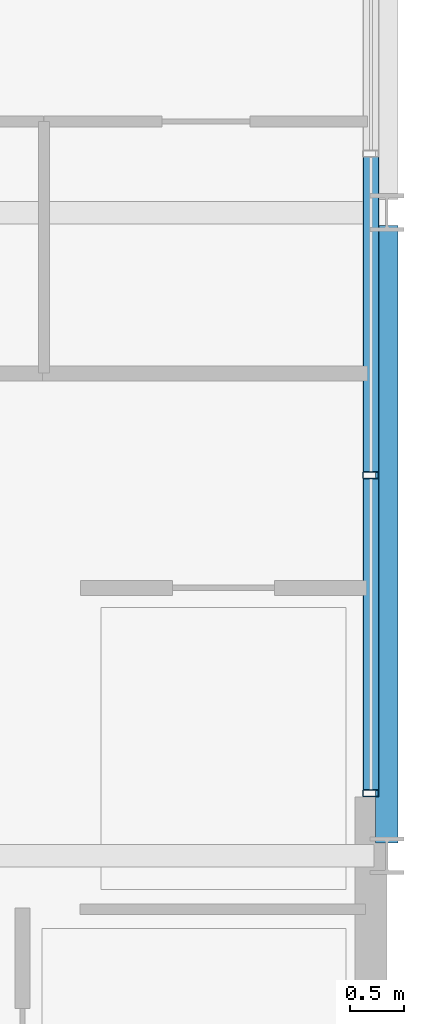
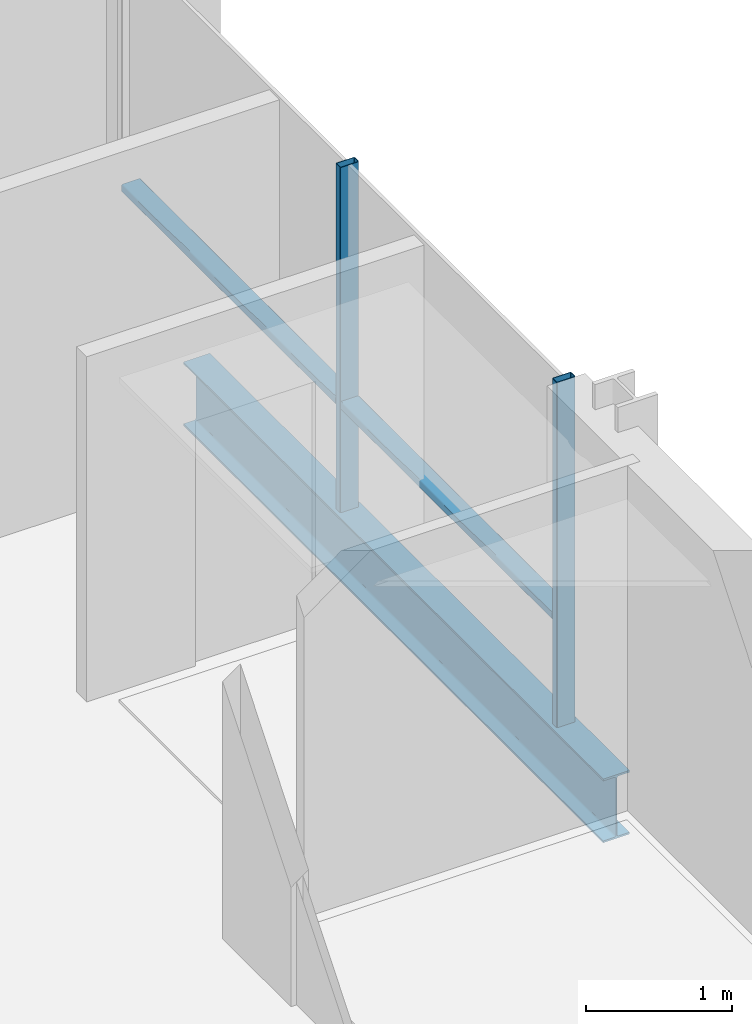
# One storey, part 5 of 17: 4 members, 1 beam, 1 element without a shape of its own.
"""IFC4 building model written with IfcOpenShell, lengths in metres."""

from ifc_helpers import new_model, si_unit, direction, frame, origin, origin_2d, place, context, subcontext, project, spatial, hollow_rectangle, i_section, extrude, material, layer, layer_set, material_profile, profile_set, type_object, element, aggregate, save


model = new_model("IFC4")

# Units and contexts
model_context = context("Model", 3, precision=1e-05, world=origin(), true_north=direction((0.0, 1.0)))
body_context = subcontext(model_context, "Body", "Model", "MODEL_VIEW")
ifc_project = project(units=[si_unit("LENGTHUNIT", "METRE"), si_unit("AREAUNIT", "SQUARE_METRE"), si_unit("VOLUMEUNIT", "CUBIC_METRE"), si_unit("PLANEANGLEUNIT", "RADIAN"), si_unit("MASSUNIT", "GRAM", prefix="KILO")], contexts=[model_context])

# Site, building, storey
site_placement = place(None, origin())
site = spatial("IfcSite", under=ifc_project, at=site_placement, CompositionType="ELEMENT")
building_placement = place(site_placement, origin())
building = spatial("IfcBuilding", under=site, at=building_placement, Name="Brevholm Reach", CompositionType="ELEMENT")
storey_placement = place(building_placement, frame((0.0, 0.0, 221.10009765625)))
storey = spatial("IfcBuildingStorey", under=building, at=storey_placement, Name="L67", CompositionType="ELEMENT", Elevation=221.10009765625)

# Beam
ifc_material_1 = material(Name="Structural Steel S355J2", Category="steel")
ifc_material_profile_1 = material_profile(ifc_material_1, i_section(OverallWidth=0.209228515625, OverallDepth=0.533203125, WebThickness=0.010009765625, FlangeThickness=0.015625, FilletRadius=0.0126953125, at=origin_2d()), Name="UKB 533x210x92")
ifc_profile_set_1 = profile_set([ifc_material_profile_1], Name="Structural Steel S355J2")
beam_type = type_object("IfcBeamType", Name="BM-SP533", PredefinedType="SPANDREL", material=ifc_profile_set_1)
beam_placement = place(storey_placement, frame((60.0, 10.1201171875, -0.4765625), z_axis=(0.0, 1.0, 0.0), x_axis=(-1.0, 0.0, 0.0)))
element("IfcBeam", 1, at=beam_placement, inside=storey, type_object=beam_type, Name="L67 SP-02 Framing Beam", PredefinedType="SPANDREL", context=body_context, shape_type="SweptSolid", body=[
    extrude(i_section(OverallWidth=0.209228515625, OverallDepth=0.533203125, WebThickness=0.010009765625, FlangeThickness=0.015625, FilletRadius=0.0126953125, at=origin_2d()), origin(), (0.0, 0.0, 1.0), 5.759765625),
])

# Curtain wall, members
ifc_material_2 = material(Name="Dark Anodised Aluminium 6063-T6 and Solar-Control Glass", Category="aluminium")
ifc_layer = layer(ifc_material_2, 0.14990234375)
ifc_layer_set = layer_set([ifc_layer], Name="Dark Anodised Aluminium 6063-T6 and Solar-Control Glass")
curtain_wall_type = type_object("IfcCurtainWallType", Name="CW-01", PredefinedType="NOTDEFINED", material=ifc_layer_set)
curtain_wall_placement = place(storey_placement, origin())
curtain_wall = element("IfcCurtainWall", 2, at=curtain_wall_placement, inside=storey, type_object=curtain_wall_type, Name="L67 Curtain Wall CW-01", PredefinedType="NOTDEFINED")
ifc_material_3 = material(Name="Dark Anodised Aluminium 6063-T6", Category="aluminium")
ifc_material_profile_2 = material_profile(ifc_material_3, hollow_rectangle(XDim=0.06494140625, YDim=0.14990234375, WallThickness=0.0048828125, InnerFilletRadius=0.0048828125, OuterFilletRadius=0.010009765625, at=origin_2d()), Name="RHS 150x65x5")
ifc_profile_set_2 = profile_set([ifc_material_profile_2], Name="Dark Anodised Aluminium 6063-T6")
member_type_1 = type_object("IfcMemberType", Name="CWM-150", PredefinedType="MULLION", material=ifc_profile_set_2)
member_1_placement = place(storey_placement, frame((59.85009765625, 10.58251953125, 0.0), z_axis=(0.0, 0.0, 1.0), x_axis=(0.0, 1.0, 0.0)))
member_1 = element("IfcMember", 3, at=member_1_placement, type_object=member_type_1, Name="CM-150 Mullion 1", PredefinedType="MULLION", context=body_context, shape_type="SweptSolid", body=[
    extrude(hollow_rectangle(XDim=0.06494140625, YDim=0.14990234375, WallThickness=0.0048828125, InnerFilletRadius=0.0048828125, OuterFilletRadius=0.010009765625, at=origin_2d()), origin(), (0.0, 0.0, 1.0), 2.889892578125),
])
member_2_placement = place(storey_placement, frame((59.85009765625, 13.550048828125, 0.0), z_axis=(0.0, 0.0, 1.0), x_axis=(0.0, 1.0, 0.0)))
member_2 = element("IfcMember", 4, at=member_2_placement, type_object=member_type_1, Name="CM-150 Mullion 2", PredefinedType="MULLION", context=body_context, shape_type="SweptSolid", body=[
    extrude(hollow_rectangle(XDim=0.06494140625, YDim=0.14990234375, WallThickness=0.0048828125, InnerFilletRadius=0.0048828125, OuterFilletRadius=0.010009765625, at=origin_2d()), origin(), (0.0, 0.0, 1.0), 2.889892578125),
])
ifc_material_4 = material(Name="Dark Anodised Aluminium 6063-T6", Category="aluminium")
ifc_material_profile_3 = material_profile(ifc_material_4, hollow_rectangle(XDim=0.06494140625, YDim=0.14990234375, WallThickness=0.0048828125, InnerFilletRadius=0.0048828125, OuterFilletRadius=0.010009765625, at=origin_2d()), Name="RHS 150x65x5")
ifc_profile_set_3 = profile_set([ifc_material_profile_3], Name="Dark Anodised Aluminium 6063-T6")
member_type_2 = type_object("IfcMemberType", Name="CWT-150", PredefinedType="NOTDEFINED", material=ifc_profile_set_3)
member_3_placement = place(storey_placement, frame((59.85009765625, 10.614990234375, 0.89990234375), z_axis=(0.0, 1.0, 0.0), x_axis=(0.0, 0.0, 1.0)))
member_3 = element("IfcMember", 5, at=member_3_placement, type_object=member_type_2, Name="CT-150 Transom 1.1", ObjectType="TRANSOM", PredefinedType="USERDEFINED", context=body_context, shape_type="SweptSolid", body=[
    extrude(hollow_rectangle(XDim=0.06494140625, YDim=0.14990234375, WallThickness=0.0048828125, InnerFilletRadius=0.0048828125, OuterFilletRadius=0.010009765625, at=origin_2d()), origin(), (0.0, 0.0, 1.0), 2.902587890625),
])
member_4_placement = place(storey_placement, frame((59.85009765625, 13.58251953125, 0.89990234375), z_axis=(0.0, 1.0, 0.0), x_axis=(0.0, 0.0, 1.0)))
member_4 = element("IfcMember", 6, at=member_4_placement, type_object=member_type_2, Name="CT-150 Transom 2.1", ObjectType="TRANSOM", PredefinedType="USERDEFINED", context=body_context, shape_type="SweptSolid", body=[
    extrude(hollow_rectangle(XDim=0.06494140625, YDim=0.14990234375, WallThickness=0.0048828125, InnerFilletRadius=0.0048828125, OuterFilletRadius=0.010009765625, at=origin_2d()), origin(), (0.0, 0.0, 1.0), 2.93505859375),
])
aggregate(curtain_wall, [member_1, member_2, member_3, member_4])

save(model, "model.ifc")
